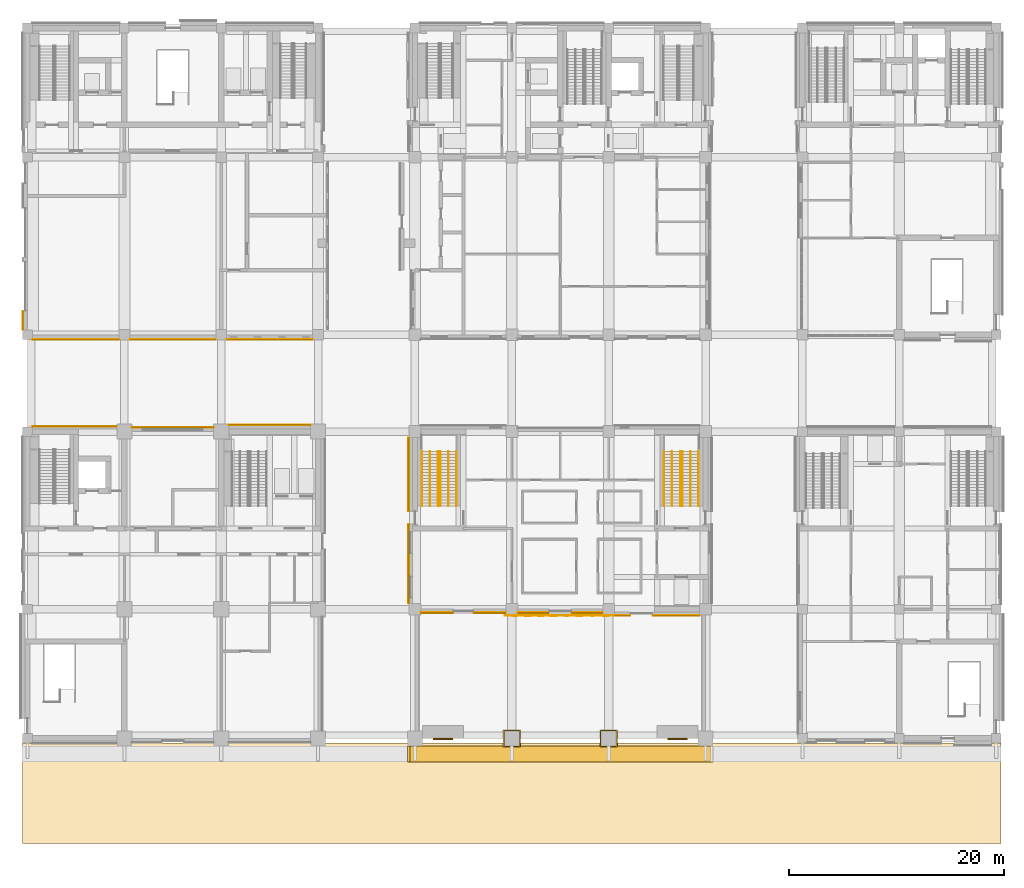
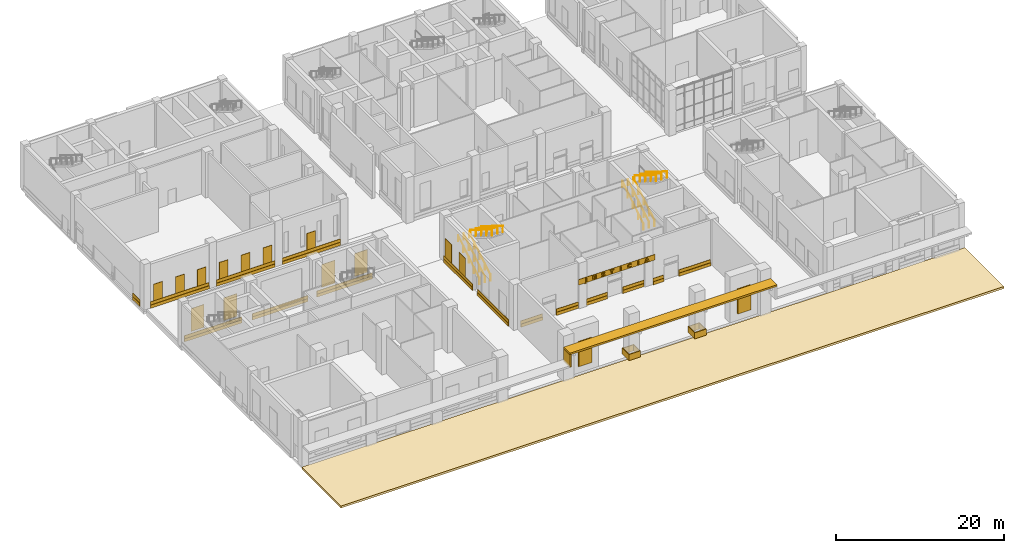
# One storey, part 24 of 35: 49 coverings, 12 railings, 2 shading devices.
"""IFC4 building model written with IfcOpenShell, lengths in metres."""

from ifc_helpers import new_model, si_unit, direction, frame, origin, origin_2d, place, context, subcontext, project, spatial, polyline, rectangle, circle, outline, extrude, material, layer, layer_set, type_object, element, save


model = new_model("IFC4")

# Units and contexts
model_context = context("Model", 3, precision=1e-05, world=origin(), true_north=direction((0.0, 1.0)))
body_context = subcontext(model_context, "Body", "Model", "MODEL_VIEW")
ifc_project = project(units=[si_unit("LENGTHUNIT", "METRE"), si_unit("AREAUNIT", "SQUARE_METRE"), si_unit("VOLUMEUNIT", "CUBIC_METRE"), si_unit("PLANEANGLEUNIT", "RADIAN"), si_unit("MASSUNIT", "GRAM", prefix="KILO")], contexts=[model_context])

# Site, building, storey
site_placement = place(None, origin())
site = spatial("IfcSite", under=ifc_project, at=site_placement, CompositionType="ELEMENT")
building_placement = place(site_placement, origin())
building = spatial("IfcBuilding", under=site, at=building_placement, Name="Aurelan Courthouse", CompositionType="ELEMENT")
storey_placement = place(building_placement, origin())
storey = spatial("IfcBuildingStorey", under=building, at=storey_placement, Name="L00", CompositionType="ELEMENT", Elevation=0.0)

# Coverings
ifc_material_1 = material(Name="Bronze sheet cladding")
ifc_layer_1 = layer(ifc_material_1, 0.06005859375)
ifc_layer_set_1 = layer_set([ifc_layer_1], Name="Bronze sheet cladding")
covering_type_1 = type_object("IfcCoveringType", Name="Ceremonial Court blind bay 1500 x 2700", PredefinedType="CLADDING", material=ifc_layer_set_1)
for number, where, z_axis, x_axis, name in (
    (1, (35.419921875, 23.550048828125, 0.89990234375), (0.0, 0.0, 1.0), (1.0, 0.0, 0.0), "Blind bay BB-V1-L00-008"),
    (2, (35.419921875, 26.85009765625, 0.89990234375), (0.0, 0.0, 1.0), (1.0, 0.0, 0.0), "Blind bay BB-V1-L00-009"),
):
    element("IfcCovering", number, at=place(storey_placement, frame(where, z_axis=z_axis, x_axis=x_axis)), inside=storey, type_object=covering_type_1, Name=name, PredefinedType="CLADDING", context=body_context, shape_type="SweptSolid", body=[
        extrude(rectangle(XDim=0.06005859375, YDim=1.5, at=origin_2d()), origin(), (0.0, 0.0, 1.0), 2.699951171875),
    ])
ifc_material_2 = material(Name="Granite cladding", Category="masonry")
covering_type_2 = type_object("IfcCoveringType", Name="Ceremonial Court rusticated plinth course 450 x 100", PredefinedType="CLADDING", material=ifc_material_2)
covering_1_placement = place(storey_placement, frame((55.27490234375, 11.39990234375, 0.0), z_axis=(0.0, 0.0, 1.0), x_axis=(1.0, 0.0, 0.0)))
element("IfcCovering", 3, at=covering_1_placement, inside=storey, type_object=covering_type_2, Name="Plinth course PLC-V1-001", PredefinedType="CLADDING", context=body_context, shape_type="SweptSolid", body=[
    extrude(rectangle(XDim=1.449951171875, YDim=0.10009765625, at=origin_2d()), origin(), (0.0, 0.0, 1.0), 0.449951171875),
])
covering_2_placement = place(storey_placement, frame((60.27490234375, 11.39990234375, 0.0), z_axis=(0.0, 0.0, 1.0), x_axis=(1.0, 0.0, 0.0)))
element("IfcCovering", 4, at=covering_2_placement, inside=storey, type_object=covering_type_2, Name="Plinth course PLC-V1-002", PredefinedType="CLADDING", context=body_context, shape_type="SweptSolid", body=[
    extrude(rectangle(XDim=4.35009765625, YDim=0.10009765625, at=origin_2d()), origin(), (0.0, 0.0, 1.0), 0.449951171875),
])
covering_3_placement = place(storey_placement, frame((55.27490234375, 11.419921875, 0.4501953125), z_axis=(0.0, 0.0, 1.0), x_axis=(1.0, 0.0, 0.0)))
element("IfcCovering", 5, at=covering_3_placement, inside=storey, type_object=covering_type_2, Name="Plinth course PLC-V1-003", PredefinedType="CLADDING", context=body_context, shape_type="SweptSolid", body=[
    extrude(rectangle(XDim=1.449951171875, YDim=0.06005859375, at=origin_2d()), origin(), (0.0, 0.0, 1.0), 0.449951171875),
])
covering_4_placement = place(storey_placement, frame((60.27490234375, 11.419921875, 0.4501953125), z_axis=(0.0, 0.0, 1.0), x_axis=(1.0, 0.0, 0.0)))
element("IfcCovering", 6, at=covering_4_placement, inside=storey, type_object=covering_type_2, Name="Plinth course PLC-V1-004", PredefinedType="CLADDING", context=body_context, shape_type="SweptSolid", body=[
    extrude(rectangle(XDim=4.35009765625, YDim=0.06005859375, at=origin_2d()), origin(), (0.0, 0.0, 1.0), 0.449951171875),
])
for number, where, z_axis, x_axis, name in (
    (7, (38.050048828125, 11.64990234375, 0.0), (0.0, 0.0, 1.0), (1.0, 0.0, 0.0), "Plinth course PLC-V1-005"),
    (8, (42.949951171875, 11.64990234375, 0.0), (0.0, 0.0, 1.0), (1.0, 0.0, 0.0), "Plinth course PLC-V1-006"),
):
    element("IfcCovering", number, at=place(storey_placement, frame(where, z_axis=z_axis, x_axis=x_axis)), inside=storey, type_object=covering_type_2, Name=name, PredefinedType="CLADDING", context=body_context, shape_type="SweptSolid", body=[
        extrude(rectangle(XDim=3.0, YDim=0.10009765625, at=origin_2d()), origin(), (0.0, 0.0, 1.0), 0.449951171875),
    ])
for number, where, z_axis, x_axis, name in (
    (9, (38.050048828125, 11.669921875, 0.4501953125), (0.0, 0.0, 1.0), (1.0, 0.0, 0.0), "Plinth course PLC-V1-007"),
    (10, (42.949951171875, 11.669921875, 0.4501953125), (0.0, 0.0, 1.0), (1.0, 0.0, 0.0), "Plinth course PLC-V1-008"),
):
    element("IfcCovering", number, at=place(storey_placement, frame(where, z_axis=z_axis, x_axis=x_axis)), inside=storey, type_object=covering_type_2, Name=name, PredefinedType="CLADDING", context=body_context, shape_type="SweptSolid", body=[
        extrude(rectangle(XDim=3.0, YDim=0.06005859375, at=origin_2d()), origin(), (0.0, 0.0, 1.0), 0.449951171875),
    ])
for number, where, z_axis, x_axis, name in (
    (11, (47.0, 11.64990234375, 0.0), (0.0, 0.0, 1.0), (1.0, 0.0, 0.0), "Plinth course PLC-V1-009"),
    (12, (52.0, 11.64990234375, 0.0), (0.0, 0.0, 1.0), (1.0, 0.0, 0.0), "Plinth course PLC-V1-010"),
):
    element("IfcCovering", number, at=place(storey_placement, frame(where, z_axis=z_axis, x_axis=x_axis)), inside=storey, type_object=covering_type_2, Name=name, PredefinedType="CLADDING", context=body_context, shape_type="SweptSolid", body=[
        extrude(rectangle(XDim=2.89990234375, YDim=0.10009765625, at=origin_2d()), origin(), (0.0, 0.0, 1.0), 0.449951171875),
    ])
for number, where, z_axis, x_axis, name in (
    (13, (47.0, 11.669921875, 0.4501953125), (0.0, 0.0, 1.0), (1.0, 0.0, 0.0), "Plinth course PLC-V1-011"),
    (14, (52.0, 11.669921875, 0.4501953125), (0.0, 0.0, 1.0), (1.0, 0.0, 0.0), "Plinth course PLC-V1-012"),
):
    element("IfcCovering", number, at=place(storey_placement, frame(where, z_axis=z_axis, x_axis=x_axis)), inside=storey, type_object=covering_type_2, Name=name, PredefinedType="CLADDING", context=body_context, shape_type="SweptSolid", body=[
        extrude(rectangle(XDim=2.89990234375, YDim=0.06005859375, at=origin_2d()), origin(), (0.0, 0.0, 1.0), 0.449951171875),
    ])
covering_5_placement = place(storey_placement, frame((35.39990234375, 16.22509765625, 0.0), z_axis=(0.0, 0.0, 1.0), x_axis=(1.0, 0.0, 0.0)))
element("IfcCovering", 15, at=covering_5_placement, inside=storey, type_object=covering_type_2, Name="Plinth course PLC-V1-013", PredefinedType="CLADDING", context=body_context, shape_type="SweptSolid", body=[
    extrude(rectangle(XDim=0.10009765625, YDim=7.35009765625, at=origin_2d()), origin(), (0.0, 0.0, 1.0), 0.449951171875),
])
covering_6_placement = place(storey_placement, frame((35.419921875, 16.22509765625, 0.4501953125), z_axis=(0.0, 0.0, 1.0), x_axis=(1.0, 0.0, 0.0)))
element("IfcCovering", 16, at=covering_6_placement, inside=storey, type_object=covering_type_2, Name="Plinth course PLC-V1-014", PredefinedType="CLADDING", context=body_context, shape_type="SweptSolid", body=[
    extrude(rectangle(XDim=0.06005859375, YDim=7.35009765625, at=origin_2d()), origin(), (0.0, 0.0, 1.0), 0.449951171875),
])
covering_7_placement = place(storey_placement, frame((35.39990234375, 24.52490234375, 0.0), z_axis=(0.0, 0.0, 1.0), x_axis=(1.0, 0.0, 0.0)))
element("IfcCovering", 17, at=covering_7_placement, inside=storey, type_object=covering_type_2, Name="Plinth course PLC-V1-017", PredefinedType="CLADDING", context=body_context, shape_type="SweptSolid", body=[
    extrude(rectangle(XDim=0.10009765625, YDim=6.85009765625, at=origin_2d()), origin(), (0.0, 0.0, 1.0), 0.449951171875),
])
covering_8_placement = place(storey_placement, frame((35.419921875, 24.52490234375, 0.4501953125), z_axis=(0.0, 0.0, 1.0), x_axis=(1.0, 0.0, 0.0)))
element("IfcCovering", 18, at=covering_8_placement, inside=storey, type_object=covering_type_2, Name="Plinth course PLC-V1-018", PredefinedType="CLADDING", context=body_context, shape_type="SweptSolid", body=[
    extrude(rectangle(XDim=0.06005859375, YDim=6.85009765625, at=origin_2d()), origin(), (0.0, 0.0, 1.0), 0.449951171875),
])
covering_type_3 = type_object("IfcCoveringType", Name="Column plinth 1600 x 900", PredefinedType="CLADDING", material=ifc_material_2)
covering_9_placement = place(storey_placement, origin())
element("IfcCovering", 19, at=covering_9_placement, inside=storey, type_object=covering_type_3, Name="Column plinth CPL-1", PredefinedType="CLADDING", context=body_context, shape_type="SweptSolid", body=[
    extrude(outline(polyline([(44.199951171875, -0.800048828125), (45.800048828125, -0.800048828125), (45.800048828125, 0.800048828125), (44.199951171875, 0.800048828125), (44.199951171875, -0.800048828125)]), holes=[polyline([(44.300048828125, -0.699951171875), (45.699951171875, -0.699951171875), (45.699951171875, 0.699951171875), (44.300048828125, 0.699951171875), (44.300048828125, -0.699951171875)])]), origin(), (0.0, 0.0, 1.0), 0.89990234375),
])
covering_10_placement = place(storey_placement, origin())
element("IfcCovering", 20, at=covering_10_placement, inside=storey, type_object=covering_type_3, Name="Column plinth CPL-2", PredefinedType="CLADDING", context=body_context, shape_type="SweptSolid", body=[
    extrude(outline(polyline([(53.199951171875, -0.800048828125), (54.800048828125, -0.800048828125), (54.800048828125, 0.800048828125), (53.199951171875, 0.800048828125), (53.199951171875, -0.800048828125)]), holes=[polyline([(53.300048828125, -0.699951171875), (54.699951171875, -0.699951171875), (54.699951171875, 0.699951171875), (53.300048828125, 0.699951171875), (53.300048828125, -0.699951171875)])]), origin(), (0.0, 0.0, 1.0), 0.89990234375),
])
ifc_layer_2 = layer(ifc_material_1, 0.06005859375)
ifc_layer_set_2 = layer_set([ifc_layer_2], Name="Bronze sheet cladding")
covering_type_4 = type_object("IfcCoveringType", Name="Courts' Floors blind bay 1800 x 3300", PredefinedType="CLADDING", material=ifc_layer_set_2)
for number, where, z_axis, x_axis, name in (
    (21, (2.25, 28.97998046875, 1.2001953125), (0.0, 0.0, 1.0), (1.0, 0.0, 0.0), "Blind bay BB-V5-L00-005"),
    (22, (6.75, 28.97998046875, 1.2001953125), (0.0, 0.0, 1.0), (1.0, 0.0, 0.0), "Blind bay BB-V5-L00-006"),
    (23, (20.25, 29.1298828125, 1.2001953125), (0.0, 0.0, 1.0), (1.0, 0.0, 0.0), "Blind bay BB-V5-L00-007"),
    (24, (24.75, 29.1298828125, 1.2001953125), (0.0, 0.0, 1.0), (1.0, 0.0, 0.0), "Blind bay BB-V5-L00-008"),
):
    element("IfcCovering", number, at=place(storey_placement, frame(where, z_axis=z_axis, x_axis=x_axis)), inside=storey, type_object=covering_type_4, Name=name, PredefinedType="CLADDING", context=body_context, shape_type="SweptSolid", body=[
        extrude(rectangle(XDim=1.800048828125, YDim=0.06005859375, at=origin_2d()), origin(), (0.0, 0.0, 1.0), 3.300048828125),
    ])
covering_type_5 = type_object("IfcCoveringType", Name="Courts' Floors rusticated plinth course 450 x 100", PredefinedType="CLADDING", material=ifc_material_2)
covering_11_placement = place(storey_placement, frame((13.5, 28.89990234375, 0.0), z_axis=(0.0, 0.0, 1.0), x_axis=(1.0, 0.0, 0.0)))
element("IfcCovering", 25, at=covering_11_placement, inside=storey, type_object=covering_type_5, Name="Plinth course PLC-V5-023", PredefinedType="CLADDING", context=body_context, shape_type="SweptSolid", body=[
    extrude(rectangle(XDim=7.60009765625, YDim=0.10009765625, at=origin_2d()), origin(), (0.0, 0.0, 1.0), 0.449951171875),
])
covering_12_placement = place(storey_placement, frame((13.5, 28.8798828125, 0.4501953125), z_axis=(0.0, 0.0, 1.0), x_axis=(1.0, 0.0, 0.0)))
element("IfcCovering", 26, at=covering_12_placement, inside=storey, type_object=covering_type_5, Name="Plinth course PLC-V5-024", PredefinedType="CLADDING", context=body_context, shape_type="SweptSolid", body=[
    extrude(rectangle(XDim=7.60009765625, YDim=0.06005859375, at=origin_2d()), origin(), (0.0, 0.0, 1.0), 0.449951171875),
])
covering_13_placement = place(storey_placement, frame((4.375, 29.0, 0.0), z_axis=(0.0, 0.0, 1.0), x_axis=(1.0, 0.0, 0.0)))
element("IfcCovering", 27, at=covering_13_placement, inside=storey, type_object=covering_type_5, Name="Plinth course PLC-V5-025", PredefinedType="CLADDING", context=body_context, shape_type="SweptSolid", body=[
    extrude(rectangle(XDim=7.85009765625, YDim=0.10009765625, at=origin_2d()), origin(), (0.0, 0.0, 1.0), 0.449951171875),
])
covering_14_placement = place(storey_placement, frame((4.375, 28.97998046875, 0.4501953125), z_axis=(0.0, 0.0, 1.0), x_axis=(1.0, 0.0, 0.0)))
element("IfcCovering", 28, at=covering_14_placement, inside=storey, type_object=covering_type_5, Name="Plinth course PLC-V5-026", PredefinedType="CLADDING", context=body_context, shape_type="SweptSolid", body=[
    extrude(rectangle(XDim=7.85009765625, YDim=0.06005859375, at=origin_2d()), origin(), (0.0, 0.0, 1.0), 0.449951171875),
])
covering_15_placement = place(storey_placement, frame((22.5, 29.14990234375, 0.0), z_axis=(0.0, 0.0, 1.0), x_axis=(1.0, 0.0, 0.0)))
element("IfcCovering", 29, at=covering_15_placement, inside=storey, type_object=covering_type_5, Name="Plinth course PLC-V5-027", PredefinedType="CLADDING", context=body_context, shape_type="SweptSolid", body=[
    extrude(rectangle(XDim=7.60009765625, YDim=0.10009765625, at=origin_2d()), origin(), (0.0, 0.0, 1.0), 0.449951171875),
])
covering_16_placement = place(storey_placement, frame((22.5, 29.1298828125, 0.4501953125), z_axis=(0.0, 0.0, 1.0), x_axis=(1.0, 0.0, 0.0)))
element("IfcCovering", 30, at=covering_16_placement, inside=storey, type_object=covering_type_5, Name="Plinth course PLC-V5-028", PredefinedType="CLADDING", context=body_context, shape_type="SweptSolid", body=[
    extrude(rectangle(XDim=7.60009765625, YDim=0.06005859375, at=origin_2d()), origin(), (0.0, 0.0, 1.0), 0.449951171875),
])
ifc_layer_3 = layer(ifc_material_1, 0.06005859375)
ifc_layer_set_3 = layer_set([ifc_layer_3], Name="Bronze sheet cladding")
covering_type_6 = type_object("IfcCoveringType", Name="Custody Suite blind bay 1200 x 2400", PredefinedType="CLADDING", material=ifc_layer_set_3)
for number, where, z_axis, x_axis, name in (
    (31, (1.5, 37.070068359375, 0.900146484375), (0.0, 0.0, 1.0), (1.0, 0.0, 0.0), "Blind bay BB-V6-L00-001"),
    (32, (4.5, 37.070068359375, 0.900146484375), (0.0, 0.0, 1.0), (1.0, 0.0, 0.0), "Blind bay BB-V6-L00-002"),
    (33, (7.5, 37.070068359375, 0.900146484375), (0.0, 0.0, 1.0), (1.0, 0.0, 0.0), "Blind bay BB-V6-L00-003"),
    (34, (10.5, 37.070068359375, 0.900146484375), (0.0, 0.0, 1.0), (1.0, 0.0, 0.0), "Blind bay BB-V6-L00-004"),
    (35, (13.5, 37.070068359375, 0.900146484375), (0.0, 0.0, 1.0), (1.0, 0.0, 0.0), "Blind bay BB-V6-L00-005"),
    (36, (16.5, 37.070068359375, 0.900146484375), (0.0, 0.0, 1.0), (1.0, 0.0, 0.0), "Blind bay BB-V6-L00-006"),
    (37, (22.5, 37.070068359375, 0.900146484375), (0.0, 0.0, 1.0), (1.0, 0.0, 0.0), "Blind bay BB-V6-L00-007"),
):
    element("IfcCovering", number, at=place(storey_placement, frame(where, z_axis=z_axis, x_axis=x_axis)), inside=storey, type_object=covering_type_6, Name=name, PredefinedType="CLADDING", context=body_context, shape_type="SweptSolid", body=[
        extrude(rectangle(XDim=1.199951171875, YDim=0.06005859375, at=origin_2d()), origin(), (0.0, 0.0, 1.0), 2.39990234375),
    ])
covering_type_7 = type_object("IfcCoveringType", Name="Custody Suite rusticated plinth course 450 x 100", PredefinedType="CLADDING", material=ifc_material_2)
covering_17_placement = place(storey_placement, frame((4.47509765625, 37.050048828125, 0.0), z_axis=(0.0, 0.0, 1.0), x_axis=(1.0, 0.0, 0.0)))
element("IfcCovering", 38, at=covering_17_placement, inside=storey, type_object=covering_type_7, Name="Plinth course PLC-V6-001", PredefinedType="CLADDING", context=body_context, shape_type="SweptSolid", body=[
    extrude(rectangle(XDim=8.050048828125, YDim=0.10009765625, at=origin_2d()), origin(), (0.0, 0.0, 1.0), 0.449951171875),
])
covering_18_placement = place(storey_placement, frame((4.47509765625, 37.070068359375, 0.4501953125), z_axis=(0.0, 0.0, 1.0), x_axis=(1.0, 0.0, 0.0)))
element("IfcCovering", 39, at=covering_18_placement, inside=storey, type_object=covering_type_7, Name="Plinth course PLC-V6-002", PredefinedType="CLADDING", context=body_context, shape_type="SweptSolid", body=[
    extrude(rectangle(XDim=8.050048828125, YDim=0.06005859375, at=origin_2d()), origin(), (0.0, 0.0, 1.0), 0.449951171875),
])
covering_19_placement = place(storey_placement, frame((13.5, 37.050048828125, 0.0), z_axis=(0.0, 0.0, 1.0), x_axis=(1.0, 0.0, 0.0)))
element("IfcCovering", 40, at=covering_19_placement, inside=storey, type_object=covering_type_7, Name="Plinth course PLC-V6-003", PredefinedType="CLADDING", context=body_context, shape_type="SweptSolid", body=[
    extrude(rectangle(XDim=8.0, YDim=0.10009765625, at=origin_2d()), origin(), (0.0, 0.0, 1.0), 0.449951171875),
])
covering_20_placement = place(storey_placement, frame((13.5, 37.070068359375, 0.4501953125), z_axis=(0.0, 0.0, 1.0), x_axis=(1.0, 0.0, 0.0)))
element("IfcCovering", 41, at=covering_20_placement, inside=storey, type_object=covering_type_7, Name="Plinth course PLC-V6-004", PredefinedType="CLADDING", context=body_context, shape_type="SweptSolid", body=[
    extrude(rectangle(XDim=8.0, YDim=0.06005859375, at=origin_2d()), origin(), (0.0, 0.0, 1.0), 0.449951171875),
])
covering_21_placement = place(storey_placement, frame((22.5, 37.050048828125, 0.0), z_axis=(0.0, 0.0, 1.0), x_axis=(1.0, 0.0, 0.0)))
element("IfcCovering", 42, at=covering_21_placement, inside=storey, type_object=covering_type_7, Name="Plinth course PLC-V6-005", PredefinedType="CLADDING", context=body_context, shape_type="SweptSolid", body=[
    extrude(rectangle(XDim=8.0, YDim=0.10009765625, at=origin_2d()), origin(), (0.0, 0.0, 1.0), 0.449951171875),
])
covering_22_placement = place(storey_placement, frame((22.5, 37.070068359375, 0.4501953125), z_axis=(0.0, 0.0, 1.0), x_axis=(1.0, 0.0, 0.0)))
element("IfcCovering", 43, at=covering_22_placement, inside=storey, type_object=covering_type_7, Name="Plinth course PLC-V6-006", PredefinedType="CLADDING", context=body_context, shape_type="SweptSolid", body=[
    extrude(rectangle(XDim=8.0, YDim=0.06005859375, at=origin_2d()), origin(), (0.0, 0.0, 1.0), 0.449951171875),
])
covering_23_placement = place(storey_placement, frame((-0.449951171875, 38.824951171875, 0.0), z_axis=(0.0, 0.0, 1.0), x_axis=(1.0, 0.0, 0.0)))
element("IfcCovering", 44, at=covering_23_placement, inside=storey, type_object=covering_type_7, Name="Plinth course PLC-V6-007", PredefinedType="CLADDING", context=body_context, shape_type="SweptSolid", body=[
    extrude(rectangle(XDim=0.10009765625, YDim=1.75, at=origin_2d()), origin(), (0.0, 0.0, 1.0), 0.449951171875),
])
covering_24_placement = place(storey_placement, frame((-0.429931640625, 38.824951171875, 0.4501953125), z_axis=(0.0, 0.0, 1.0), x_axis=(1.0, 0.0, 0.0)))
element("IfcCovering", 45, at=covering_24_placement, inside=storey, type_object=covering_type_7, Name="Plinth course PLC-V6-010", PredefinedType="CLADDING", context=body_context, shape_type="SweptSolid", body=[
    extrude(rectangle(XDim=0.06005859375, YDim=1.75, at=origin_2d()), origin(), (0.0, 0.0, 1.0), 0.449951171875),
])
ifc_material_3 = material(Name="Forecourt paving on stone base", Category="masonry")
ifc_layer_4 = layer(ifc_material_3, 0.300048828125)
ifc_layer_set_4 = layer_set([ifc_layer_4], Name="Forecourt paving on stone base")
covering_type_8 = type_object("IfcCoveringType", Name="Forecourt paving on stone base 300", PredefinedType="FLOORING", material=ifc_layer_set_4)
covering_25_placement = place(storey_placement, frame((0.0, 0.0, -0.300048828125)))
element("IfcCovering", 46, at=covering_25_placement, inside=storey, type_object=covering_type_8, Name="Paving PV-01", PredefinedType="FLOORING", context=body_context, shape_type="SweptSolid", body=[
    extrude(outline(polyline([(90.449951171875, -9.75), (90.449951171875, -0.449951171875), (-0.449951171875, -0.449951171875), (-0.449951171875, -9.75), (90.449951171875, -9.75)])), origin(), (0.0, 0.0, 1.0), 0.300048828125),
])
ifc_layer_5 = layer(ifc_material_2, 0.0400390625, Name="Backing band")
ifc_material_4 = material(Name="Bronze sheet cladding", Category="bronze")
ifc_layer_6 = layer(ifc_material_4, 0.080078125, Name="Letters")
ifc_layer_set_5 = layer_set([ifc_layer_5, ifc_layer_6], Name="Granite cladding")
covering_type_9 = type_object("IfcCoveringType", Name="Inscription band 10453", PredefinedType="CLADDING", material=ifc_layer_set_5)
covering_26_placement = place(storey_placement, frame((44.36181640625, 11.449951171875, 0.0), z_axis=(0.0, -1.0, 0.0), x_axis=(1.0, 0.0, 0.0)))
element("IfcCovering", 47, at=covering_26_placement, inside=storey, type_object=covering_type_9, Name="Inscription band IN-01", PredefinedType="CLADDING", context=body_context, shape_type="SweptSolid", body=[
    extrude(outline(polyline([(0.0, 3.5), (10.45263671875, 3.5), (10.45263671875, 4.300048828125), (0.0, 4.300048828125), (0.0, 3.5)])), origin(), (0.0, 0.0, 1.0), 0.0400390625),
    extrude(outline(polyline([(0.921875, 4.199951171875), (1.076416015625, 4.199951171875), (1.076416015625, 3.658203125), (1.061279296875, 3.560302734375), (1.015380859375, 3.49072265625), (0.93896484375, 3.44921875), (0.800048828125, 3.435302734375), (0.800048828125, 3.55224609375), (0.866455078125, 3.558837890625), (0.89697265625, 3.5791015625), (0.91552734375, 3.6123046875), (0.921875, 3.658203125), (0.921875, 4.199951171875)])), frame((0.0, 0.0, 0.0400390625)), (0.0, 0.0, 1.0), 0.080078125),
    extrude(outline(polyline([(1.879638671875, 4.199951171875), (2.034423828125, 4.199951171875), (2.034423828125, 3.84033203125), (2.04052734375, 3.776611328125), (2.05859375, 3.73388671875), (2.0908203125, 3.710205078125), (2.137939453125, 3.7021484375), (2.185791015625, 3.710205078125), (2.2177734375, 3.73388671875), (2.236083984375, 3.776611328125), (2.2421875, 3.84033203125), (2.2421875, 4.199951171875), (2.396728515625, 4.199951171875), (2.396728515625, 3.84033203125), (2.380859375, 3.729248046875), (2.3330078125, 3.650390625), (2.252197265625, 3.60400390625), (2.137939453125, 3.58837890625), (2.024169921875, 3.60400390625), (1.943603515625, 3.650390625), (1.8955078125, 3.729248046875), (1.879638671875, 3.84033203125), (1.879638671875, 4.199951171875)])), frame((0.0, 0.0, 0.0400390625)), (0.0, 0.0, 1.0), 0.080078125),
    extrude(outline(polyline([(3.535400390625, 4.18115234375), (3.535400390625, 4.05419921875), (3.43896484375, 4.08740234375), (3.350341796875, 4.0986328125), (3.302001953125, 4.0947265625), (3.268310546875, 4.08349609375), (3.248291015625, 4.06396484375), (3.24169921875, 4.035888671875), (3.246337890625, 4.014404296875), (3.259765625, 3.998291015625), (3.284912109375, 3.98583984375), (3.47607421875, 3.936767578125), (3.53271484375, 3.90087890625), (3.564453125, 3.851318359375), (3.574951171875, 3.784423828125), (3.560302734375, 3.697998046875), (3.51611328125, 3.63671875), (3.441650390625, 3.600341796875), (3.336181640625, 3.58837890625), (3.2216796875, 3.59912109375), (3.106689453125, 3.63134765625), (3.106689453125, 3.761962890625), (3.218017578125, 3.7158203125), (3.3212890625, 3.700439453125), (3.3662109375, 3.70458984375), (3.39892578125, 3.71728515625), (3.419189453125, 3.73779296875), (3.42578125, 3.765625), (3.421142578125, 3.79052734375), (3.407470703125, 3.80908203125), (3.380126953125, 3.823486328125), (3.19677734375, 3.87451171875), (3.14306640625, 3.9111328125), (3.11181640625, 3.960693359375), (3.1015625, 4.024658203125), (3.115966796875, 4.10400390625), (3.159423828125, 4.16259765625), (3.22998046875, 4.19873046875), (3.32568359375, 4.210693359375), (3.427490234375, 4.203369140625), (3.535400390625, 4.18115234375)])), frame((0.0, 0.0, 0.0400390625)), (0.0, 0.0, 1.0), 0.080078125),
    extrude(outline(polyline([(4.26171875, 4.199951171875), (4.814697265625, 4.199951171875), (4.814697265625, 4.0830078125), (4.61572265625, 4.0830078125), (4.61572265625, 3.60009765625), (4.461181640625, 3.60009765625), (4.461181640625, 4.0830078125), (4.26171875, 4.0830078125), (4.26171875, 4.199951171875)])), frame((0.0, 0.0, 0.0400390625)), (0.0, 0.0, 1.0), 0.080078125),
    extrude(outline(polyline([(5.660888671875, 4.199951171875), (5.815673828125, 4.199951171875), (5.815673828125, 3.60009765625), (5.660888671875, 3.60009765625), (5.660888671875, 4.199951171875)])), frame((0.0, 0.0, 0.0400390625)), (0.0, 0.0, 1.0), 0.080078125),
    extrude(outline(polyline([(7.193359375, 3.6328125), (7.1044921875, 3.599609375), (7.008056640625, 3.58837890625), (6.873779296875, 3.609375), (6.7705078125, 3.672119140625), (6.704833984375, 3.77099609375), (6.68310546875, 3.8994140625), (6.704833984375, 4.0283203125), (6.7705078125, 4.126953125), (6.873779296875, 4.189697265625), (7.008056640625, 4.210693359375), (7.1044921875, 4.199462890625), (7.193359375, 4.166259765625), (7.193359375, 4.0419921875), (7.108642578125, 4.0849609375), (7.065673828125, 4.09521484375), (7.0205078125, 4.0986328125), (6.946533203125, 4.08544921875), (6.890380859375, 4.045654296875), (6.854736328125, 3.982421875), (6.843017578125, 3.8994140625), (6.854736328125, 3.81640625), (6.890380859375, 3.75341796875), (6.946533203125, 3.713623046875), (7.0205078125, 3.700439453125), (7.065673828125, 3.703857421875), (7.108642578125, 3.714111328125), (7.193359375, 3.757080078125), (7.193359375, 3.6328125)])), frame((0.0, 0.0, 0.0400390625)), (0.0, 0.0, 1.0), 0.080078125),
    extrude(outline(polyline([(8.060791015625, 4.199951171875), (8.215576171875, 4.199951171875), (8.215576171875, 3.60009765625), (8.060791015625, 3.60009765625), (8.060791015625, 4.199951171875)])), frame((0.0, 0.0, 0.0400390625)), (0.0, 0.0, 1.0), 0.080078125),
    extrude(outline(polyline([(9.45947265625, 3.709228515625), (9.217529296875, 3.709228515625), (9.179443359375, 3.60009765625), (9.023681640625, 3.60009765625), (9.24609375, 4.199951171875), (9.430419921875, 4.199951171875), (9.652587890625, 3.60009765625), (9.497314453125, 3.60009765625), (9.45947265625, 3.709228515625)]), holes=[polyline([(9.256103515625, 3.82080078125), (9.33837890625, 4.059326171875), (9.42041015625, 3.82080078125), (9.256103515625, 3.82080078125)])]), frame((0.0, 0.0, 0.0400390625)), (0.0, 0.0, 1.0), 0.080078125),
])
ifc_layer_7 = layer(ifc_material_1, 0.14990234375)
ifc_layer_set_6 = layer_set([ifc_layer_7], Name="Bronze sheet cladding")
covering_type_10 = type_object("IfcCoveringType", Name="Relief panel 1800 x 3600 x 150", PredefinedType="CLADDING", material=ifc_layer_set_6)
for number, where, z_axis, x_axis, name in (
    (48, (38.60009765625, -0.074951171875, 1.0), (0.0, 0.0, 1.0), (1.0, 0.0, 0.0), "Relief panel RP-V1-001"),
    (49, (60.39990234375, -0.074951171875, 1.0), (0.0, 0.0, 1.0), (1.0, 0.0, 0.0), "Relief panel RP-V1-002"),
):
    element("IfcCovering", number, at=place(storey_placement, frame(where, z_axis=z_axis, x_axis=x_axis)), inside=storey, type_object=covering_type_10, Name=name, PredefinedType="CLADDING", context=body_context, shape_type="SweptSolid", body=[
        extrude(rectangle(XDim=1.800048828125, YDim=0.14990234375, at=origin_2d()), origin(), (0.0, 0.0, 1.0), 3.60009765625),
    ])

# Railings
ifc_material_5 = material(Name="Steel S355", Category="steel")
railing_type = type_object("IfcRailingType", Name="Stair handrail 900", PredefinedType="HANDRAIL", material=ifc_material_5)
for number, where, name in (
    (50, (59.14990234375, 21.610107421875, 0.173583984375), "Handrail ST-1E-L00-H1"),
    (51, (60.64990234375, 21.610107421875, 0.173583984375), "Handrail ST-1E-L00-H2"),
    (52, (59.89990234375, 21.610107421875, 0.173583984375), "Handrail ST-1E-L00-H3"),
):
    element("IfcRailing", number, at=place(storey_placement, frame(where)), inside=storey, type_object=railing_type, Name=name, PredefinedType="HANDRAIL", context=body_context, shape_type="SweptSolid", body=[
        extrude(circle(Radius=0.02392578125, at=origin_2d()), frame((0.0, 0.0, 0.8759765625), z_axis=(0.0, 0.84976734637, 0.527157905227), x_axis=(-1.0, 0.0, 0.0)), (0.0, 0.0, 1.0), 5.930908203125),
        extrude(circle(Radius=0.02099609375, at=origin_2d()), origin(), (0.0, 0.0, 1.0), 0.851806640625),
        extrude(circle(Radius=0.02099609375, at=origin_2d()), frame((0.0, 1.260009765625, 0.78173828125)), (0.0, 0.0, 1.0), 0.851806640625),
        extrude(circle(Radius=0.02099609375, at=origin_2d()), frame((0.0, 2.52001953125, 1.563232421875)), (0.0, 0.0, 1.0), 0.851806640625),
        extrude(circle(Radius=0.02099609375, at=origin_2d()), frame((0.0, 3.77978515625, 2.3447265625)), (0.0, 0.0, 1.0), 0.851806640625),
        extrude(circle(Radius=0.02099609375, at=origin_2d()), frame((0.0, 5.039794921875, 3.12646484375)), (0.0, 0.0, 1.0), 0.851806640625),
    ])
for number, where, name in (
    (53, (60.85009765625, 26.64990234375, 3.4736328125), "Handrail ST-1E-L00-H4"),
    (54, (62.35009765625, 26.64990234375, 3.4736328125), "Handrail ST-1E-L00-H5"),
    (55, (61.60009765625, 26.64990234375, 3.4736328125), "Handrail ST-1E-L00-H6"),
):
    element("IfcRailing", number, at=place(storey_placement, frame(where)), inside=storey, type_object=railing_type, Name=name, PredefinedType="HANDRAIL", context=body_context, shape_type="SweptSolid", body=[
        extrude(circle(Radius=0.02392578125, at=origin_2d()), frame((0.0, 0.0, 0.8759765625), z_axis=(0.0, -0.84976734637, 0.527157905227), x_axis=(1.0, 0.0, 0.0)), (0.0, 0.0, 1.0), 5.930908203125),
        extrude(circle(Radius=0.02099609375, at=origin_2d()), origin(), (0.0, 0.0, 1.0), 0.851806640625),
        extrude(circle(Radius=0.02099609375, at=origin_2d()), frame((0.0, -1.260009765625, 0.78173828125)), (0.0, 0.0, 1.0), 0.851806640625),
        extrude(circle(Radius=0.02099609375, at=origin_2d()), frame((0.0, -2.52001953125, 1.563232421875)), (0.0, 0.0, 1.0), 0.851806640625),
        extrude(circle(Radius=0.02099609375, at=origin_2d()), frame((0.0, -3.77978515625, 2.3447265625)), (0.0, 0.0, 1.0), 0.851806640625),
        extrude(circle(Radius=0.02099609375, at=origin_2d()), frame((0.0, -5.039794921875, 3.12646484375)), (0.0, 0.0, 1.0), 0.851806640625),
    ])
for number, where, name in (
    (56, (36.64990234375, 21.610107421875, 0.173583984375), "Handrail ST-1W-L00-H1"),
    (57, (38.14990234375, 21.610107421875, 0.173583984375), "Handrail ST-1W-L00-H2"),
    (58, (37.39990234375, 21.610107421875, 0.173583984375), "Handrail ST-1W-L00-H3"),
):
    element("IfcRailing", number, at=place(storey_placement, frame(where)), inside=storey, type_object=railing_type, Name=name, PredefinedType="HANDRAIL", context=body_context, shape_type="SweptSolid", body=[
        extrude(circle(Radius=0.02392578125, at=origin_2d()), frame((0.0, 0.0, 0.8759765625), z_axis=(0.0, 0.84976734637, 0.527157905227), x_axis=(-1.0, 0.0, 0.0)), (0.0, 0.0, 1.0), 5.930908203125),
        extrude(circle(Radius=0.02099609375, at=origin_2d()), origin(), (0.0, 0.0, 1.0), 0.851806640625),
        extrude(circle(Radius=0.02099609375, at=origin_2d()), frame((0.0, 1.260009765625, 0.78173828125)), (0.0, 0.0, 1.0), 0.851806640625),
        extrude(circle(Radius=0.02099609375, at=origin_2d()), frame((0.0, 2.52001953125, 1.563232421875)), (0.0, 0.0, 1.0), 0.851806640625),
        extrude(circle(Radius=0.02099609375, at=origin_2d()), frame((0.0, 3.77978515625, 2.3447265625)), (0.0, 0.0, 1.0), 0.851806640625),
        extrude(circle(Radius=0.02099609375, at=origin_2d()), frame((0.0, 5.039794921875, 3.12646484375)), (0.0, 0.0, 1.0), 0.851806640625),
    ])
for number, where, name in (
    (59, (38.35009765625, 26.64990234375, 3.4736328125), "Handrail ST-1W-L00-H4"),
    (60, (39.85009765625, 26.64990234375, 3.4736328125), "Handrail ST-1W-L00-H5"),
    (61, (39.10009765625, 26.64990234375, 3.4736328125), "Handrail ST-1W-L00-H6"),
):
    element("IfcRailing", number, at=place(storey_placement, frame(where)), inside=storey, type_object=railing_type, Name=name, PredefinedType="HANDRAIL", context=body_context, shape_type="SweptSolid", body=[
        extrude(circle(Radius=0.02392578125, at=origin_2d()), frame((0.0, 0.0, 0.8759765625), z_axis=(0.0, -0.84976734637, 0.527157905227), x_axis=(1.0, 0.0, 0.0)), (0.0, 0.0, 1.0), 5.930908203125),
        extrude(circle(Radius=0.02099609375, at=origin_2d()), origin(), (0.0, 0.0, 1.0), 0.851806640625),
        extrude(circle(Radius=0.02099609375, at=origin_2d()), frame((0.0, -1.260009765625, 0.78173828125)), (0.0, 0.0, 1.0), 0.851806640625),
        extrude(circle(Radius=0.02099609375, at=origin_2d()), frame((0.0, -2.52001953125, 1.563232421875)), (0.0, 0.0, 1.0), 0.851806640625),
        extrude(circle(Radius=0.02099609375, at=origin_2d()), frame((0.0, -3.77978515625, 2.3447265625)), (0.0, 0.0, 1.0), 0.851806640625),
        extrude(circle(Radius=0.02099609375, at=origin_2d()), frame((0.0, -5.039794921875, 3.12646484375)), (0.0, 0.0, 1.0), 0.851806640625),
    ])

# Shading devices
ifc_material_6 = material(Name="Concrete C40", Category="concrete")
ifc_layer_8 = layer(ifc_material_6, 0.24609375, Name="Structure")
ifc_layer_9 = layer(ifc_material_4, 0.00390625, Name="Cladding")
ifc_layer_set_7 = layer_set([ifc_layer_8, ifc_layer_9], Name="Concrete C40")
shading_device_type = type_object("IfcShadingDeviceType", Name="Street canopy 250", PredefinedType="AWNING", material=ifc_layer_set_7)
shading_device_1_placement = place(storey_placement, frame((0.0, 0.0, 4.800048828125)))
element("IfcShadingDevice", 62, at=shading_device_1_placement, inside=storey, type_object=shading_device_type, Name="Street canopy AW-S02", PredefinedType="AWNING", context=body_context, shape_type="SweptSolid", body=[
    extrude(outline(polyline([(35.300048828125, -0.699951171875), (63.699951171875, -0.699951171875), (63.699951171875, -2.199951171875), (35.300048828125, -2.199951171875), (35.300048828125, -0.699951171875)])), origin(), (0.0, 0.0, 1.0), 0.25),
])
shading_device_2_placement = place(storey_placement, frame((0.0, 0.0, 3.0)))
element("IfcShadingDevice", 63, at=shading_device_2_placement, inside=storey, type_object=shading_device_type, Name="Street canopy riser AW-S02-R1", PredefinedType="AWNING", context=body_context, shape_type="SweptSolid", body=[
    extrude(outline(polyline([(35.300048828125, -0.699951171875), (35.550048828125, -0.699951171875), (35.550048828125, -2.199951171875), (35.300048828125, -2.199951171875), (35.300048828125, -0.699951171875)])), origin(), (0.0, 0.0, 1.0), 1.800048828125),
])

save(model, "model.ifc")
